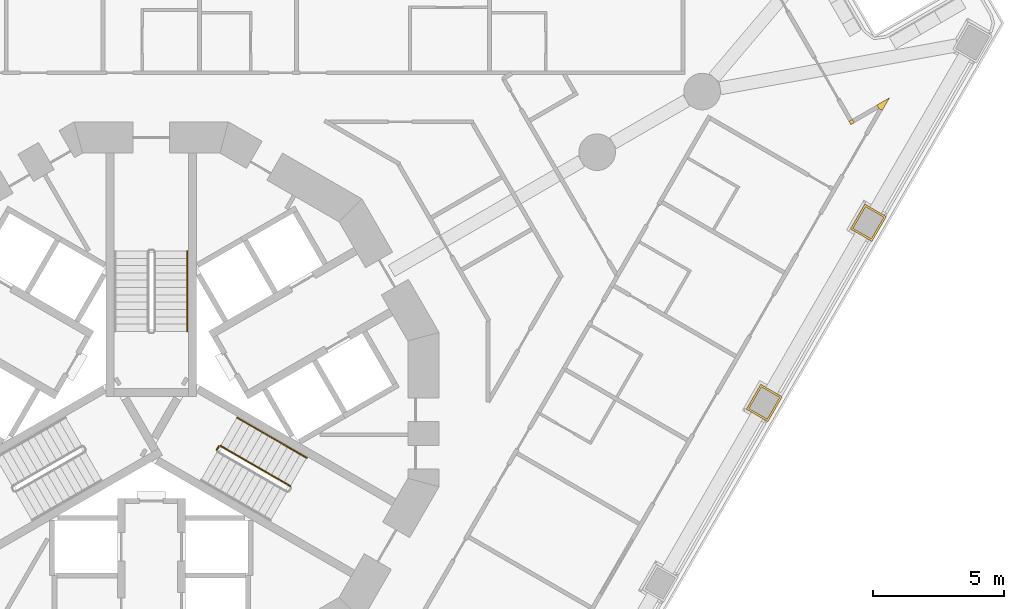
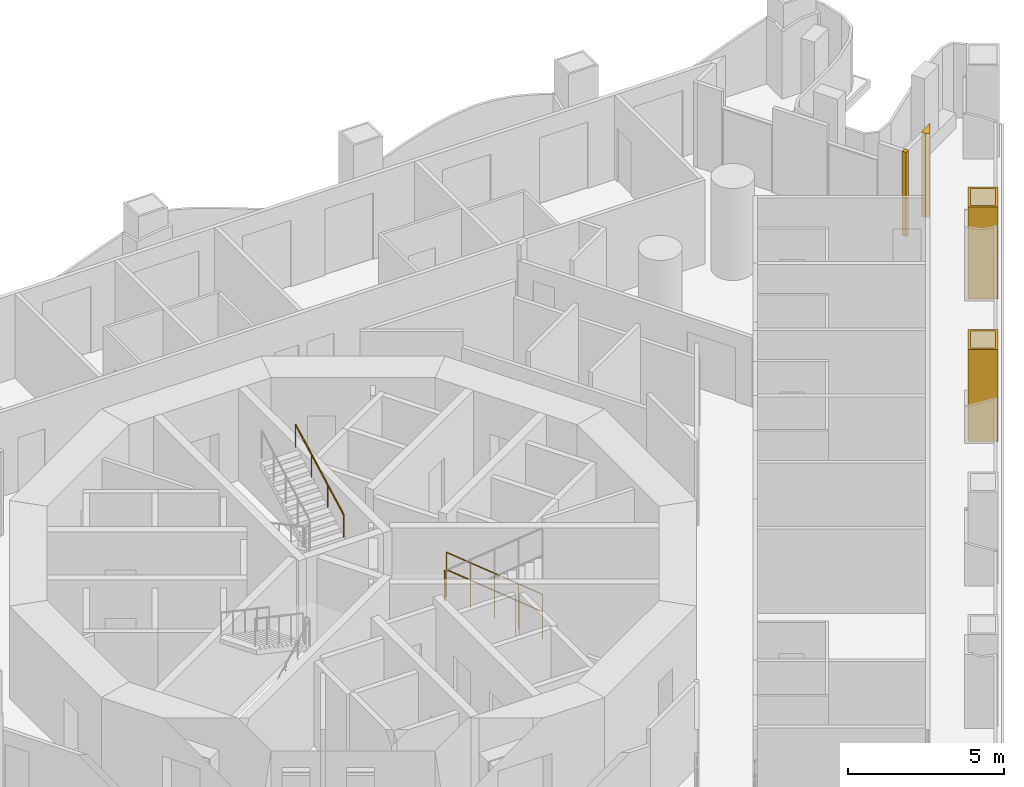
# One storey, part 18 of 20: 5 railings, 4 coverings.
"""IFC4 building model written with IfcOpenShell, lengths in metres."""

from ifc_helpers import new_model, si_unit, direction, frame, origin, origin_2d, place, context, subcontext, project, spatial, polyline, circle, outline, extrude, material, layer, layer_set, type_object, element, save


model = new_model("IFC4")

# Units and contexts
model_context = context("Model", 3, precision=1e-05, world=origin(), true_north=direction((0.0, 1.0)))
body_context = subcontext(model_context, "Body", "Model", "MODEL_VIEW")
ifc_project = project(units=[si_unit("LENGTHUNIT", "METRE"), si_unit("AREAUNIT", "SQUARE_METRE"), si_unit("VOLUMEUNIT", "CUBIC_METRE"), si_unit("PLANEANGLEUNIT", "RADIAN"), si_unit("MASSUNIT", "GRAM", prefix="KILO")], contexts=[model_context])

# Site, building, storey
site_placement = place(None, origin())
site = spatial("IfcSite", under=ifc_project, at=site_placement, CompositionType="ELEMENT")
building_placement = place(site_placement, origin())
building = spatial("IfcBuilding", under=site, at=building_placement, Name="Trine Commons Tower", CompositionType="ELEMENT")
storey_placement = place(building_placement, frame((0.0, 0.0, 38.699951171875)))
storey = spatial("IfcBuildingStorey", under=building, at=storey_placement, Name="L08", CompositionType="ELEMENT", Elevation=38.699951171875)

# Coverings
ifc_material_1 = material(Name="Aluminium-framed insulated wall panel", Category="aluminium")
ifc_layer_1 = layer(ifc_material_1, 0.14990234375)
ifc_layer_set_1 = layer_set([ifc_layer_1], Name="Aluminium-framed insulated wall panel")
covering_type_1 = type_object("IfcCoveringType", Name="Glazing corner post, aluminium", PredefinedType="CLADDING", material=ifc_layer_set_1)
covering_1_placement = place(storey_placement, origin())
element("IfcCovering", 1, at=covering_1_placement, inside=storey, type_object=covering_type_1, Name="Glazing corner post 1-07", PredefinedType="CLADDING", context=body_context, shape_type="SweptSolid", body=[
    extrude(outline(polyline([(106.688720703125, 73.532470703125), (106.763671875, 73.402587890625), (106.8935546875, 73.4775390625), (106.818603515625, 73.607421875), (106.688720703125, 73.532470703125)])), origin(), (0.0, 0.0, 1.0), 3.300048828125),
])
covering_2_placement = place(storey_placement, origin())
element("IfcCovering", 2, at=covering_2_placement, inside=storey, type_object=covering_type_1, Name="Glazing corner post 1-08", PredefinedType="CLADDING", context=body_context, shape_type="SweptSolid", body=[
    extrude(outline(polyline([(107.963623046875, 73.9453125), (108.24365234375, 74.43017578125), (107.7587890625, 74.150146484375), (107.833740234375, 74.020263671875), (107.963623046875, 73.9453125)])), origin(), (0.0, 0.0, 1.0), 3.300048828125),
])
ifc_material_2 = material(Name="Limestone, honed", Category="masonry")
ifc_layer_2 = layer(ifc_material_2, 0.074951171875)
ifc_layer_set_2 = layer_set([ifc_layer_2], Name="Limestone, honed")
covering_type_2 = type_object("IfcCoveringType", Name="Limestone column cladding 75", PredefinedType="CLADDING", material=ifc_layer_set_2)
covering_3_placement = place(storey_placement, origin())
element("IfcCovering", 3, at=covering_3_placement, inside=storey, type_object=covering_type_2, Name="Limestone pier cladding 1-18", PredefinedType="CLADDING", context=body_context, shape_type="SweptSolid", body=[
    extrude(outline(polyline([(108.12109375, 69.8876953125), (107.298095703125, 70.36279296875), (106.748291015625, 69.41015625), (107.571044921875, 68.93505859375), (108.12109375, 69.8876953125)]), holes=[polyline([(108.0185546875, 69.8603515625), (107.32568359375, 70.26025390625), (106.8505859375, 69.4375), (107.54345703125, 69.03759765625), (108.0185546875, 69.8603515625)])]), origin(), (0.0, 0.0, 1.0), 3.60009765625),
])
covering_4_placement = place(storey_placement, origin())
element("IfcCovering", 4, at=covering_4_placement, inside=storey, type_object=covering_type_2, Name="Limestone pier cladding 1-19", PredefinedType="CLADDING", context=body_context, shape_type="SweptSolid", body=[
    extrude(outline(polyline([(104.139404296875, 62.9912109375), (103.31640625, 63.46630859375), (102.7666015625, 62.513671875), (103.58935546875, 62.03857421875), (104.139404296875, 62.9912109375)]), holes=[polyline([(104.036865234375, 62.9638671875), (103.343994140625, 63.36376953125), (102.868896484375, 62.541015625), (103.561767578125, 62.14111328125), (104.036865234375, 62.9638671875)])]), origin(), (0.0, 0.0, 1.0), 3.60009765625),
])

# Railings
ifc_material_3 = material(Name="Stainless steel balustrade", Category="steel")
railing_type_1 = type_object("IfcRailingType", Name="Stair guard, steel balustrade 1100", PredefinedType="GUARDRAIL", material=ifc_material_3)
railing_1_placement = place(storey_placement, frame((85.31982421875, 59.572998046875, 0.150146484375)))
element("IfcRailing", 5, at=railing_1_placement, inside=storey, type_object=railing_type_1, Name="L08 ST3A stair guard 1", PredefinedType="GUARDRAIL", context=body_context, shape_type="SweptSolid", body=[
    extrude(circle(Radius=0.02392578125, at=origin_2d()), frame((0.0, 0.0, 1.076171875), z_axis=(-0.76340495495, 0.440743040072, 0.472184759798), x_axis=(-0.499992328818, -0.866029832698, 0.0)), (0.0, 0.0, 1.0), 3.494140625),
    extrude(circle(Radius=0.02099609375, at=origin_2d()), origin(), (0.0, 0.0, 1.0), 1.052001953125),
    extrude(circle(Radius=0.02099609375, at=origin_2d()), frame((-0.6669921875, 0.385009765625, 0.41259765625)), (0.0, 0.0, 1.0), 1.052001953125),
    extrude(circle(Radius=0.02099609375, at=origin_2d()), frame((-1.333740234375, 0.77001953125, 0.824951171875)), (0.0, 0.0, 1.0), 1.052001953125),
    extrude(circle(Radius=0.02099609375, at=origin_2d()), frame((-2.00048828125, 1.155029296875, 1.2373046875)), (0.0, 0.0, 1.0), 1.052001953125),
    extrude(circle(Radius=0.02099609375, at=origin_2d()), frame((-2.66748046875, 1.5400390625, 1.64990234375)), (0.0, 0.0, 1.0), 1.052001953125),
])
railing_2_placement = place(storey_placement, frame((82.584228515625, 61.0947265625, 1.800048828125)))
element("IfcRailing", 6, at=railing_2_placement, inside=storey, type_object=railing_type_1, Name="L08 ST3A stair guard 2", PredefinedType="GUARDRAIL", context=body_context, shape_type="SweptSolid", body=[
    extrude(circle(Radius=0.02392578125, at=origin_2d()), frame((0.0, 0.0, 1.076171875), z_axis=(-0.501036270542, -0.865426285481, 0.0), x_axis=(0.865426285481, -0.501036270542, 0.0)), (0.0, 0.0, 1.0), 0.150146484375),
    extrude(circle(Radius=0.02099609375, at=origin_2d()), origin(), (0.0, 0.0, 1.0), 1.052001953125),
    extrude(circle(Radius=0.02099609375, at=origin_2d()), frame((-0.0751953125, -0.1298828125, 0.0)), (0.0, 0.0, 1.0), 1.052001953125),
])
ifc_material_4 = material(Name="Stainless steel handrail", Category="steel")
railing_type_2 = type_object("IfcRailingType", Name="Stair handrail, steel 900", PredefinedType="HANDRAIL", material=ifc_material_4)
railing_3_placement = place(storey_placement, frame((81.375, 65.490478515625, 1.949951171875)))
element("IfcRailing", 7, at=railing_3_placement, inside=storey, type_object=railing_type_2, Name="L08 ST1A stair handrail 2", PredefinedType="HANDRAIL", context=body_context, shape_type="SweptSolid", body=[
    extrude(circle(Radius=0.02099609375, at=origin_2d()), frame((0.0, 0.0, 0.87890625), z_axis=(0.0, 0.881467505477, 0.472244678941), x_axis=(-1.0, 0.0, 0.0)), (0.0, 0.0, 1.0), 3.494140625),
    extrude(circle(Radius=0.01513671875, at=origin_2d()), origin(), (0.0, 0.0, 1.0), 0.85791015625),
    extrude(circle(Radius=0.01513671875, at=origin_2d()), frame((0.0, 1.026611328125, 0.550048828125)), (0.0, 0.0, 1.0), 0.85791015625),
    extrude(circle(Radius=0.01513671875, at=origin_2d()), frame((0.0, 2.053466796875, 1.10009765625)), (0.0, 0.0, 1.0), 0.85791015625),
    extrude(circle(Radius=0.01513671875, at=origin_2d()), frame((0.0, 3.080078125, 1.650146484375)), (0.0, 0.0, 1.0), 0.85791015625),
])
for number, where, name in (
    (8, (85.94482421875, 60.655517578125, 0.150146484375), "L08 ST3A stair handrail 1"),
    (9, (84.611083984375, 61.425537109375, 0.97509765625), "L08 ST3A stair handrail 2"),
):
    element("IfcRailing", number, at=place(storey_placement, frame(where)), inside=storey, type_object=railing_type_2, Name=name, PredefinedType="HANDRAIL", context=body_context, shape_type="SweptSolid", body=[
        extrude(circle(Radius=0.02099609375, at=origin_2d()), frame((0.0, 0.0, 0.87890625), z_axis=(-0.76340495495, 0.440743040072, 0.472184759798), x_axis=(-0.499992328818, -0.866029832698, 0.0)), (0.0, 0.0, 1.0), 1.7470703125),
        extrude(circle(Radius=0.01513671875, at=origin_2d()), origin(), (0.0, 0.0, 1.0), 0.85791015625),
        extrude(circle(Radius=0.01513671875, at=origin_2d()), frame((-0.6669921875, 0.385009765625, 0.41259765625)), (0.0, 0.0, 1.0), 0.85791015625),
        extrude(circle(Radius=0.01513671875, at=origin_2d()), frame((-1.333740234375, 0.77001953125, 0.824951171875)), (0.0, 0.0, 1.0), 0.85791015625),
    ])

save(model, "model.ifc")
